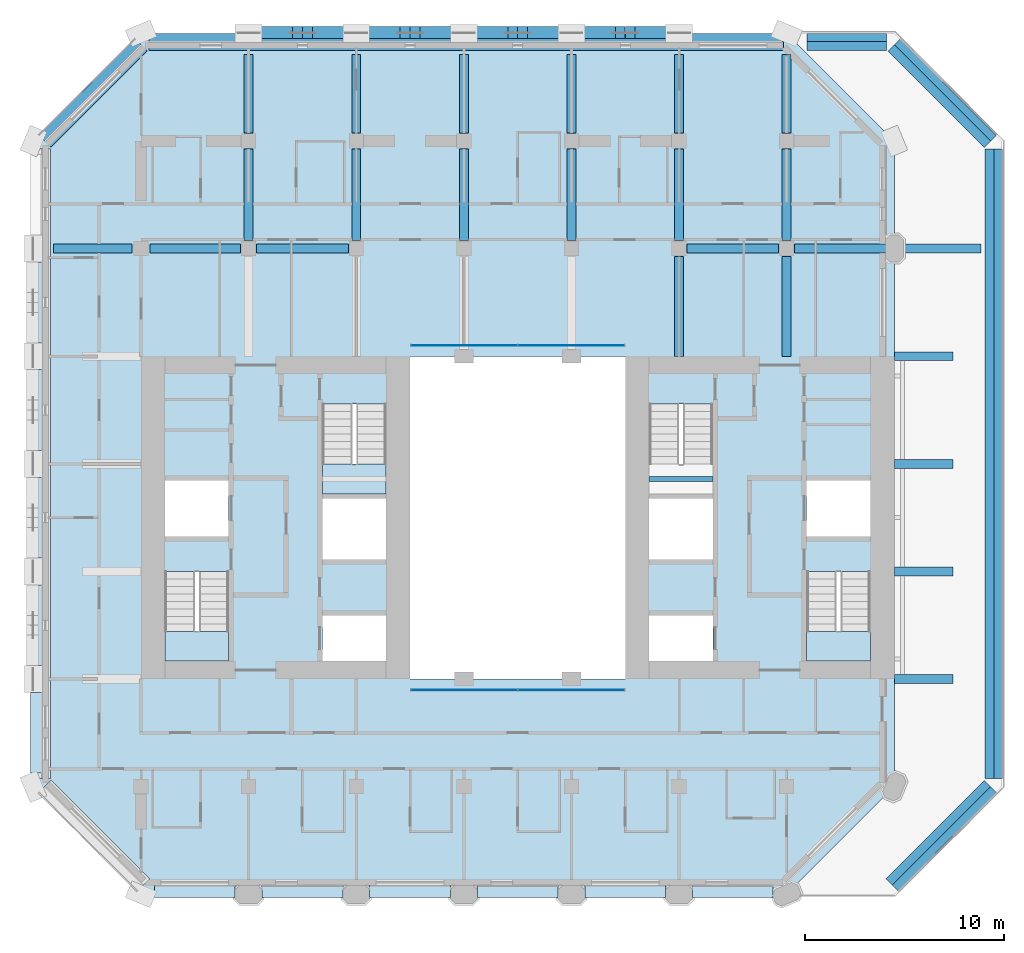
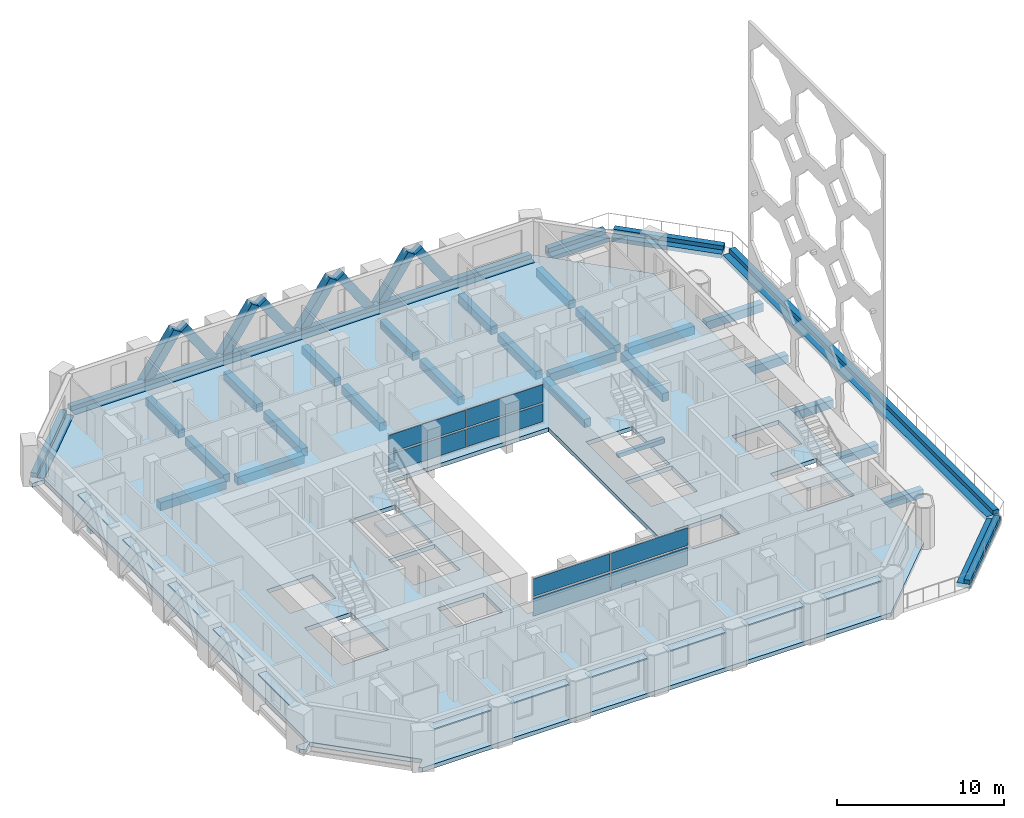
# One storey, part 5 of 15: 37 beams, 19 plates, 8 members, 4 slabs, 5 elements without a shape of their own.
"""IFC4 building model written with IfcOpenShell, lengths in metres."""

from ifc_helpers import new_model, si_unit, direction, frame, origin, origin_2d, place, context, subcontext, project, spatial, polyline, rectangle, outline, extrude, material, layer, layer_set, material_profile, profile_set, type_object, element, aggregate, save


model = new_model("IFC4")

# Units and contexts
model_context = context("Model", 3, precision=1e-05, world=origin(), true_north=direction((0.0, 1.0)))
body_context = subcontext(model_context, "Body", "Model", "MODEL_VIEW")
ifc_project = project(units=[si_unit("LENGTHUNIT", "METRE"), si_unit("AREAUNIT", "SQUARE_METRE"), si_unit("VOLUMEUNIT", "CUBIC_METRE"), si_unit("PLANEANGLEUNIT", "RADIAN"), si_unit("MASSUNIT", "GRAM", prefix="KILO")], contexts=[model_context])

# Site, building, storey
site_placement = place(None, origin())
site = spatial("IfcSite", under=ifc_project, at=site_placement, CompositionType="ELEMENT")
building_placement = place(site_placement, origin())
building = spatial("IfcBuilding", under=site, at=building_placement, Name="Tabaq Tower and Sports Hall", CompositionType="ELEMENT")
storey_placement = place(building_placement, frame((0.0, 0.0, 207.10009765625)))
storey = spatial("IfcBuildingStorey", under=building, at=storey_placement, Name="L51", CompositionType="ELEMENT", Elevation=207.10009765625)

# Beams
ifc_material_1 = material(Name="Concrete C40/50", Category="concrete")
ifc_material_profile_1 = material_profile(ifc_material_1, rectangle(XDim=0.449951171875, YDim=0.60009765625, at=origin_2d()), Name="CB 450x600")
ifc_profile_set_1 = profile_set([ifc_material_profile_1], Name="Concrete C40/50")
beam_type_1 = type_object("IfcBeamType", Name="PT CANTILEVER BEAM CB 450x600 C40/50", PredefinedType="BEAM", material=ifc_profile_set_1)
beam_1_placement = place(storey_placement, frame((1.0, 37.800048828125, -0.60009765625), z_axis=(1.0, 0.0, 0.0), x_axis=(0.0, 1.0, 0.0)))
element("IfcBeam", 1, at=beam_1_placement, inside=storey, type_object=beam_type_1, Name="Cantilever Beam L51 W7 span 1", PredefinedType="BEAM", context=body_context, shape_type="SweptSolid", body=[
    extrude(rectangle(XDim=0.449951171875, YDim=0.60009765625, at=origin_2d()), origin(), (0.0, 0.0, 1.0), 3.949951171875),
])
beam_2_placement = place(storey_placement, frame((5.85009765625, 37.800048828125, -0.60009765625), z_axis=(1.0, 0.0, 0.0), x_axis=(0.0, 1.0, 0.0)))
element("IfcBeam", 2, at=beam_2_placement, inside=storey, type_object=beam_type_1, Name="Cantilever Beam L51 W7 span 2", PredefinedType="BEAM", context=body_context, shape_type="SweptSolid", body=[
    extrude(rectangle(XDim=0.449951171875, YDim=0.60009765625, at=origin_2d()), origin(), (0.0, 0.0, 1.0), 4.5498046875),
])
beam_3_placement = place(storey_placement, frame((11.199951171875, 37.800048828125, -0.60009765625), z_axis=(1.0, 0.0, 0.0), x_axis=(0.0, 1.0, 0.0)))
element("IfcBeam", 3, at=beam_3_placement, inside=storey, type_object=beam_type_1, Name="Cantilever Beam L51 W7 span 3", PredefinedType="BEAM", context=body_context, shape_type="SweptSolid", body=[
    extrude(rectangle(XDim=0.449951171875, YDim=0.60009765625, at=origin_2d()), origin(), (0.0, 0.0, 1.0), 4.60009765625),
])
for number, where, z_axis, x_axis, name in (
    (4, (46.14990234375, 16.199951171875, -0.60009765625), (-1.0, 0.0, 0.0), (0.0, -1.0, 0.0), "Cantilever Beam L51 E3 span 1"),
    (5, (46.14990234375, 21.60009765625, -0.60009765625), (-1.0, 0.0, 0.0), (0.0, -1.0, 0.0), "Cantilever Beam L51 E4 span 1"),
    (6, (46.14990234375, 27.0, -0.60009765625), (-1.0, 0.0, 0.0), (0.0, -1.0, 0.0), "Cantilever Beam L51 E5 span 1"),
    (7, (46.14990234375, 32.39990234375, -0.60009765625), (-1.0, 0.0, 0.0), (0.0, -1.0, 0.0), "Cantilever Beam L51 E6 span 1"),
):
    element("IfcBeam", number, at=place(storey_placement, frame(where, z_axis=z_axis, x_axis=x_axis)), inside=storey, type_object=beam_type_1, Name=name, PredefinedType="BEAM", context=body_context, shape_type="SweptSolid", body=[
        extrude(rectangle(XDim=0.449951171875, YDim=0.60009765625, at=origin_2d()), origin(), (0.0, 0.0, 1.0), 2.949951171875),
    ])
beam_4_placement = place(storey_placement, frame((47.550048828125, 37.800048828125, -0.60009765625), z_axis=(-1.0, 0.0, 0.0), x_axis=(0.0, -1.0, 0.0)))
element("IfcBeam", 8, at=beam_4_placement, inside=storey, type_object=beam_type_1, Name="Cantilever Beam L51 E7 span 1", PredefinedType="BEAM", context=body_context, shape_type="SweptSolid", body=[
    extrude(rectangle(XDim=0.449951171875, YDim=0.60009765625, at=origin_2d()), origin(), (0.0, 0.0, 1.0), 3.949951171875),
])
beam_5_placement = place(storey_placement, frame((42.800048828125, 37.800048828125, -0.60009765625), z_axis=(-1.0, 0.0, 0.0), x_axis=(0.0, -1.0, 0.0)))
element("IfcBeam", 9, at=beam_5_placement, inside=storey, type_object=beam_type_1, Name="Cantilever Beam L51 E7 span 2", PredefinedType="BEAM", context=body_context, shape_type="SweptSolid", body=[
    extrude(rectangle(XDim=0.449951171875, YDim=0.60009765625, at=origin_2d()), origin(), (0.0, 0.0, 1.0), 4.60009765625),
])
beam_6_placement = place(storey_placement, frame((37.39990234375, 37.800048828125, -0.60009765625), z_axis=(-1.0, 0.0, 0.0), x_axis=(0.0, -1.0, 0.0)))
element("IfcBeam", 10, at=beam_6_placement, inside=storey, type_object=beam_type_1, Name="Cantilever Beam L51 E7 span 3", PredefinedType="BEAM", context=body_context, shape_type="SweptSolid", body=[
    extrude(rectangle(XDim=0.449951171875, YDim=0.60009765625, at=origin_2d()), origin(), (0.0, 0.0, 1.0), 4.599853515625),
])
beam_7_placement = place(storey_placement, frame((10.800048828125, 47.550048828125, -0.60009765625), z_axis=(0.0, -1.0, 0.0), x_axis=(1.0, 0.0, 0.0)))
element("IfcBeam", 11, at=beam_7_placement, inside=storey, type_object=beam_type_1, Name="Cantilever Beam L51 N2 span 1", PredefinedType="BEAM", context=body_context, shape_type="SweptSolid", body=[
    extrude(rectangle(XDim=0.449951171875, YDim=0.60009765625, at=origin_2d()), origin(), (0.0, 0.0, 1.0), 3.949951171875),
])
beam_8_placement = place(storey_placement, frame((10.800048828125, 42.800048828125, -0.60009765625), z_axis=(0.0, -1.0, 0.0), x_axis=(1.0, 0.0, 0.0)))
element("IfcBeam", 12, at=beam_8_placement, inside=storey, type_object=beam_type_1, Name="Cantilever Beam L51 N2 span 2", PredefinedType="BEAM", context=body_context, shape_type="SweptSolid", body=[
    extrude(rectangle(XDim=0.449951171875, YDim=0.60009765625, at=origin_2d()), origin(), (0.0, 0.0, 1.0), 4.60009765625),
])
beam_9_placement = place(storey_placement, frame((16.199951171875, 47.550048828125, -0.60009765625), z_axis=(0.0, -1.0, 0.0), x_axis=(1.0, 0.0, 0.0)))
element("IfcBeam", 13, at=beam_9_placement, inside=storey, type_object=beam_type_1, Name="Cantilever Beam L51 N3 span 1", PredefinedType="BEAM", context=body_context, shape_type="SweptSolid", body=[
    extrude(rectangle(XDim=0.449951171875, YDim=0.60009765625, at=origin_2d()), origin(), (0.0, 0.0, 1.0), 3.949951171875),
])
beam_10_placement = place(storey_placement, frame((16.199951171875, 42.800048828125, -0.60009765625), z_axis=(0.0, -1.0, 0.0), x_axis=(1.0, 0.0, 0.0)))
element("IfcBeam", 14, at=beam_10_placement, inside=storey, type_object=beam_type_1, Name="Cantilever Beam L51 N3 span 2", PredefinedType="BEAM", context=body_context, shape_type="SweptSolid", body=[
    extrude(rectangle(XDim=0.449951171875, YDim=0.60009765625, at=origin_2d()), origin(), (0.0, 0.0, 1.0), 4.60009765625),
])
beam_11_placement = place(storey_placement, frame((21.60009765625, 47.550048828125, -0.60009765625), z_axis=(0.0, -1.0, 0.0), x_axis=(1.0, 0.0, 0.0)))
element("IfcBeam", 15, at=beam_11_placement, inside=storey, type_object=beam_type_1, Name="Cantilever Beam L51 N4 span 1", PredefinedType="BEAM", context=body_context, shape_type="SweptSolid", body=[
    extrude(rectangle(XDim=0.449951171875, YDim=0.60009765625, at=origin_2d()), origin(), (0.0, 0.0, 1.0), 3.949951171875),
])
beam_12_placement = place(storey_placement, frame((21.60009765625, 42.800048828125, -0.60009765625), z_axis=(0.0, -1.0, 0.0), x_axis=(1.0, 0.0, 0.0)))
element("IfcBeam", 16, at=beam_12_placement, inside=storey, type_object=beam_type_1, Name="Cantilever Beam L51 N4 span 2", PredefinedType="BEAM", context=body_context, shape_type="SweptSolid", body=[
    extrude(rectangle(XDim=0.449951171875, YDim=0.60009765625, at=origin_2d()), origin(), (0.0, 0.0, 1.0), 4.60009765625),
])
beam_13_placement = place(storey_placement, frame((27.0, 47.550048828125, -0.60009765625), z_axis=(0.0, -1.0, 0.0), x_axis=(1.0, 0.0, 0.0)))
element("IfcBeam", 17, at=beam_13_placement, inside=storey, type_object=beam_type_1, Name="Cantilever Beam L51 N5 span 1", PredefinedType="BEAM", context=body_context, shape_type="SweptSolid", body=[
    extrude(rectangle(XDim=0.449951171875, YDim=0.60009765625, at=origin_2d()), origin(), (0.0, 0.0, 1.0), 3.949951171875),
])
beam_14_placement = place(storey_placement, frame((27.0, 42.800048828125, -0.60009765625), z_axis=(0.0, -1.0, 0.0), x_axis=(1.0, 0.0, 0.0)))
element("IfcBeam", 18, at=beam_14_placement, inside=storey, type_object=beam_type_1, Name="Cantilever Beam L51 N5 span 2", PredefinedType="BEAM", context=body_context, shape_type="SweptSolid", body=[
    extrude(rectangle(XDim=0.449951171875, YDim=0.60009765625, at=origin_2d()), origin(), (0.0, 0.0, 1.0), 4.60009765625),
])
beam_15_placement = place(storey_placement, frame((32.39990234375, 47.550048828125, -0.60009765625), z_axis=(0.0, -1.0, 0.0), x_axis=(1.0, 0.0, 0.0)))
element("IfcBeam", 19, at=beam_15_placement, inside=storey, type_object=beam_type_1, Name="Cantilever Beam L51 N6 span 1", PredefinedType="BEAM", context=body_context, shape_type="SweptSolid", body=[
    extrude(rectangle(XDim=0.449951171875, YDim=0.60009765625, at=origin_2d()), origin(), (0.0, 0.0, 1.0), 3.949951171875),
])
beam_16_placement = place(storey_placement, frame((32.39990234375, 42.800048828125, -0.60009765625), z_axis=(0.0, -1.0, 0.0), x_axis=(1.0, 0.0, 0.0)))
element("IfcBeam", 20, at=beam_16_placement, inside=storey, type_object=beam_type_1, Name="Cantilever Beam L51 N6 span 2", PredefinedType="BEAM", context=body_context, shape_type="SweptSolid", body=[
    extrude(rectangle(XDim=0.449951171875, YDim=0.60009765625, at=origin_2d()), origin(), (0.0, 0.0, 1.0), 4.60009765625),
])
beam_17_placement = place(storey_placement, frame((32.39990234375, 37.39990234375, -0.60009765625), z_axis=(0.0, -1.0, 0.0), x_axis=(1.0, 0.0, 0.0)))
element("IfcBeam", 21, at=beam_17_placement, inside=storey, type_object=beam_type_1, Name="Cantilever Beam L51 N6 span 3", PredefinedType="BEAM", context=body_context, shape_type="SweptSolid", body=[
    extrude(rectangle(XDim=0.449951171875, YDim=0.60009765625, at=origin_2d()), origin(), (0.0, 0.0, 1.0), 5.0),
])
beam_18_placement = place(storey_placement, frame((37.800048828125, 47.550048828125, -0.60009765625), z_axis=(0.0, -1.0, 0.0), x_axis=(1.0, 0.0, 0.0)))
element("IfcBeam", 22, at=beam_18_placement, inside=storey, type_object=beam_type_1, Name="Cantilever Beam L51 N7 span 1", PredefinedType="BEAM", context=body_context, shape_type="SweptSolid", body=[
    extrude(rectangle(XDim=0.449951171875, YDim=0.60009765625, at=origin_2d()), origin(), (0.0, 0.0, 1.0), 3.949951171875),
])
beam_19_placement = place(storey_placement, frame((37.800048828125, 42.800048828125, -0.60009765625), z_axis=(0.0, -1.0, 0.0), x_axis=(1.0, 0.0, 0.0)))
element("IfcBeam", 23, at=beam_19_placement, inside=storey, type_object=beam_type_1, Name="Cantilever Beam L51 N7 span 2", PredefinedType="BEAM", context=body_context, shape_type="SweptSolid", body=[
    extrude(rectangle(XDim=0.449951171875, YDim=0.60009765625, at=origin_2d()), origin(), (0.0, 0.0, 1.0), 4.60009765625),
])
beam_20_placement = place(storey_placement, frame((37.800048828125, 37.39990234375, -0.60009765625), z_axis=(0.0, -1.0, 0.0), x_axis=(1.0, 0.0, 0.0)))
element("IfcBeam", 24, at=beam_20_placement, inside=storey, type_object=beam_type_1, Name="Cantilever Beam L51 N7 span 3", PredefinedType="BEAM", context=body_context, shape_type="SweptSolid", body=[
    extrude(rectangle(XDim=0.449951171875, YDim=0.60009765625, at=origin_2d()), origin(), (0.0, 0.0, 1.0), 5.0),
])
ifc_material_2 = material(Name="Concrete C40/50", Category="concrete")
ifc_material_profile_2 = material_profile(ifc_material_2, rectangle(XDim=0.85009765625, YDim=0.300048828125, at=origin_2d()), Name="EB 850x300")
ifc_profile_set_2 = profile_set([ifc_material_profile_2], Name="Concrete C40/50")
beam_type_2 = type_object("IfcBeamType", Name="PT EDGE BEAM EB 850x300 C40/50", PredefinedType="SPANDREL", material=ifc_profile_set_2)
beam_21_placement = place(storey_placement, frame((37.63818359375, 48.175048828125, -0.150146484375), z_axis=(-1.0, 0.0, 0.0), x_axis=(0.0, -1.0, 0.0)))
element("IfcBeam", 25, at=beam_21_placement, inside=storey, type_object=beam_type_2, Name="Edge Beam L51 1", PredefinedType="SPANDREL", context=body_context, shape_type="SweptSolid", body=[
    extrude(rectangle(XDim=0.85009765625, YDim=0.300048828125, at=origin_2d()), origin(), (0.0, 0.0, 1.0), 31.836181640625),
])
beam_22_placement = place(storey_placement, frame((5.416259765625, 48.01513671875, -0.150146484375), z_axis=(-0.707124646667, -0.707088915255, 0.0), x_axis=(0.707088915255, -0.707124646667, 0.0)))
element("IfcBeam", 26, at=beam_22_placement, inside=storey, type_object=beam_type_2, Name="Edge Beam L51 2", PredefinedType="SPANDREL", context=body_context, shape_type="SweptSolid", body=[
    extrude(rectangle(XDim=0.85009765625, YDim=0.300048828125, at=origin_2d()), origin(), (0.0, 0.0, 1.0), 6.832763671875),
])
beam_23_placement = place(storey_placement, frame((43.076171875, 5.877197265625, -0.150146484375), z_axis=(0.707106781187, 0.707106781187, 0.0), x_axis=(-0.707106781187, 0.707106781187, 0.0)))
element("IfcBeam", 27, at=beam_23_placement, inside=storey, type_object=beam_type_2, Name="Edge Beam L51 5", PredefinedType="SPANDREL", context=body_context, shape_type="SweptSolid", body=[
    extrude(rectangle(XDim=0.85009765625, YDim=0.300048828125, at=origin_2d()), origin(), (0.0, 0.0, 1.0), 6.98486328125),
])
beam_24_placement = place(storey_placement, frame((48.175048828125, 11.2021484375, -0.150146484375), z_axis=(0.0, 1.0, 0.0), x_axis=(-1.0, 0.0, 0.0)))
element("IfcBeam", 28, at=beam_24_placement, inside=storey, type_object=beam_type_2, Name="Edge Beam L51 6", PredefinedType="SPANDREL", context=body_context, shape_type="SweptSolid", body=[
    extrude(rectangle(XDim=0.85009765625, YDim=0.300048828125, at=origin_2d()), origin(), (0.0, 0.0, 1.0), 31.595703125),
])
beam_25_placement = place(storey_placement, frame((48.01513671875, 43.183837890625, -0.150146484375), z_axis=(-0.707106781187, 0.707106781187, 0.0), x_axis=(-0.707106781187, -0.707106781187, 0.0)))
element("IfcBeam", 29, at=beam_25_placement, inside=storey, type_object=beam_type_2, Name="Edge Beam L51 7", PredefinedType="SPANDREL", context=body_context, shape_type="SweptSolid", body=[
    extrude(rectangle(XDim=0.85009765625, YDim=0.300048828125, at=origin_2d()), origin(), (0.0, 0.0, 1.0), 6.83251953125),
])
beam_26_placement = place(storey_placement, frame((42.7978515625, 48.175048828125, -0.150146484375), z_axis=(-1.0, 0.0, 0.0), x_axis=(0.0, -1.0, 0.0)))
element("IfcBeam", 30, at=beam_26_placement, inside=storey, type_object=beam_type_2, Name="Edge Beam L51 8", PredefinedType="SPANDREL", context=body_context, shape_type="SweptSolid", body=[
    extrude(rectangle(XDim=0.85009765625, YDim=0.300048828125, at=origin_2d()), origin(), (0.0, 0.0, 1.0), 3.98583984375),
])
ifc_material_3 = material(Name="Concrete C40/50", Category="concrete")
ifc_material_profile_3 = material_profile(ifc_material_3, rectangle(XDim=0.39990234375, YDim=0.300048828125, at=origin_2d()), Name="EU 400x300")
ifc_profile_set_3 = profile_set([ifc_material_profile_3], Name="Concrete C40/50")
beam_type_3 = type_object("IfcBeamType", Name="PT EDGE UPSTAND EU 400x300 C40/50", PredefinedType="BEAM", material=ifc_profile_set_3)
beam_27_placement = place(storey_placement, frame((37.63818359375, 48.39990234375, 0.14990234375), z_axis=(-1.0, 0.0, 0.0), x_axis=(0.0, -1.0, 0.0)))
element("IfcBeam", 31, at=beam_27_placement, inside=storey, type_object=beam_type_3, Name="Edge Upstand L51 1", PredefinedType="BEAM", context=body_context, shape_type="SweptSolid", body=[
    extrude(rectangle(XDim=0.39990234375, YDim=0.300048828125, at=origin_2d()), origin(), (0.0, 0.0, 1.0), 31.836181640625),
])
beam_28_placement = place(storey_placement, frame((5.257080078125, 48.17431640625, 0.14990234375), z_axis=(-0.707088915255, -0.707124646667, 0.0), x_axis=(0.707124646667, -0.707088915255, 0.0)))
element("IfcBeam", 32, at=beam_28_placement, inside=storey, type_object=beam_type_3, Name="Edge Upstand L51 2", PredefinedType="BEAM", context=body_context, shape_type="SweptSolid", body=[
    extrude(rectangle(XDim=0.39990234375, YDim=0.300048828125, at=origin_2d()), origin(), (0.0, 0.0, 1.0), 6.832763671875),
])
beam_29_placement = place(storey_placement, frame((43.2353515625, 5.71826171875, 0.14990234375), z_axis=(0.707106781187, 0.707106781187, 0.0), x_axis=(-0.707106781187, 0.707106781187, 0.0)))
element("IfcBeam", 33, at=beam_29_placement, inside=storey, type_object=beam_type_3, Name="Edge Upstand L51 5", PredefinedType="BEAM", context=body_context, shape_type="SweptSolid", body=[
    extrude(rectangle(XDim=0.39990234375, YDim=0.300048828125, at=origin_2d()), origin(), (0.0, 0.0, 1.0), 6.98486328125),
])
beam_30_placement = place(storey_placement, frame((48.39990234375, 11.2021484375, 0.14990234375), z_axis=(0.0, 1.0, 0.0), x_axis=(-1.0, 0.0, 0.0)))
element("IfcBeam", 34, at=beam_30_placement, inside=storey, type_object=beam_type_3, Name="Edge Upstand L51 6", PredefinedType="BEAM", context=body_context, shape_type="SweptSolid", body=[
    extrude(rectangle(XDim=0.39990234375, YDim=0.300048828125, at=origin_2d()), origin(), (0.0, 0.0, 1.0), 31.595703125),
])
beam_31_placement = place(storey_placement, frame((48.17431640625, 43.3427734375, 0.14990234375), z_axis=(-0.707106781187, 0.707106781187, 0.0), x_axis=(-0.707106781187, -0.707106781187, 0.0)))
element("IfcBeam", 35, at=beam_31_placement, inside=storey, type_object=beam_type_3, Name="Edge Upstand L51 7", PredefinedType="BEAM", context=body_context, shape_type="SweptSolid", body=[
    extrude(rectangle(XDim=0.39990234375, YDim=0.300048828125, at=origin_2d()), origin(), (0.0, 0.0, 1.0), 6.832763671875),
])
beam_32_placement = place(storey_placement, frame((42.7978515625, 48.39990234375, 0.14990234375), z_axis=(-1.0, 0.0, 0.0), x_axis=(0.0, -1.0, 0.0)))
element("IfcBeam", 36, at=beam_32_placement, inside=storey, type_object=beam_type_3, Name="Edge Upstand L51 8", PredefinedType="BEAM", context=body_context, shape_type="SweptSolid", body=[
    extrude(rectangle(XDim=0.39990234375, YDim=0.300048828125, at=origin_2d()), origin(), (0.0, 0.0, 1.0), 3.98583984375),
])

# Members
ifc_material_4 = material(Name="Concrete C50/60", Category="concrete")
ifc_material_profile_4 = material_profile(ifc_material_4, rectangle(XDim=0.60009765625, YDim=0.60009765625, at=origin_2d()), Name="TRANSFER BAND BRACE 600x600")
ifc_profile_set_4 = profile_set([ifc_material_profile_4], Name="Concrete C50/60")
member_type = type_object("IfcMemberType", Name="RC TRANSFER BAND BRACE 600x600 C50/60", PredefinedType="BRACE", material=ifc_profile_set_4)
for number, where, z_axis, x_axis, name in (
    (37, (11.050048828125, 48.64990234375, -0.050048828125), (0.56652615464, 0.0, 0.824043758613), (0.0, 1.0, 0.0), "Transfer Band Brace L51 North 1"),
    (38, (15.949951171875, 48.64990234375, -0.050048828125), (-0.56652615464, 0.0, 0.824043758613), (0.0, -1.0, 0.0), "Transfer Band Brace L51 North 2"),
    (39, (16.449951171875, 48.64990234375, -0.050048828125), (0.56652615464, 0.0, 0.824043758613), (0.0, 1.0, 0.0), "Transfer Band Brace L51 North 3"),
    (40, (21.35009765625, 48.64990234375, -0.050048828125), (-0.566568844459, 0.0, 0.824014407937), (0.0, -1.0, 0.0), "Transfer Band Brace L51 North 4"),
    (41, (21.85009765625, 48.64990234375, -0.050048828125), (0.56652615464, 0.0, 0.824043758613), (0.0, 1.0, 0.0), "Transfer Band Brace L51 North 5"),
    (42, (26.75, 48.64990234375, -0.050048828125), (-0.56652615464, 0.0, 0.824043758613), (0.0, -1.0, 0.0), "Transfer Band Brace L51 North 6"),
    (43, (27.25, 48.64990234375, -0.050048828125), (0.56652615464, 0.0, 0.824043758613), (0.0, 1.0, 0.0), "Transfer Band Brace L51 North 7"),
    (44, (32.14990234375, 48.64990234375, -0.050048828125), (-0.56652615464, 0.0, 0.824043758613), (0.0, -1.0, 0.0), "Transfer Band Brace L51 North 8"),
):
    element("IfcMember", number, at=place(storey_placement, frame(where, z_axis=z_axis, x_axis=x_axis)), inside=storey, type_object=member_type, Name=name, PredefinedType="BRACE", context=body_context, shape_type="SweptSolid", body=[
        extrude(rectangle(XDim=0.60009765625, YDim=0.60009765625, at=origin_2d()), origin(), (0.0, 0.0, 1.0), 3.88330078125),
    ])

# Beam
ifc_material_5 = material(Name="Concrete C40/50", Category="concrete")
ifc_material_profile_5 = material_profile(ifc_material_5, rectangle(XDim=0.25, YDim=0.300048828125, at=origin_2d()), Name="RC 250x300")
ifc_profile_set_5 = profile_set([ifc_material_profile_5], Name="Concrete C40/50")
beam_type_4 = type_object("IfcBeamType", Name="Stair landing beam 250x300", PredefinedType="BEAM", material=ifc_profile_set_5)
beam_33_placement = place(storey_placement, frame((30.89990234375, 26.25, 1.2998046875), z_axis=(1.0, 0.0, 0.0), x_axis=(0.0, 1.0, 0.0)))
element("IfcBeam", 45, at=beam_33_placement, inside=storey, type_object=beam_type_4, Name="L51 ST4 landing beam 1", PredefinedType="BEAM", context=body_context, shape_type="SweptSolid", body=[
    extrude(rectangle(XDim=0.25, YDim=0.300048828125, at=origin_2d()), origin(), (0.0, 0.0, 1.0), 3.2001953125),
])

# Curtain wall, plates
ifc_material_6 = material(Name="Aluminium alloy 6063-T6 framed glazing", Category="aluminium")
curtain_wall_type = type_object("IfcCurtainWallType", Name="CW1 curtain wall", PredefinedType="USERDEFINED", material=ifc_material_6)
curtain_wall_1_placement = place(storey_placement, origin())
curtain_wall_1 = element("IfcCurtainWall", 46, at=curtain_wall_1_placement, inside=storey, type_object=curtain_wall_type, Name="Atrium glazing L51 S", ObjectType="ATRIUM ENCLOSURE", PredefinedType="USERDEFINED")
ifc_material_7 = material(Name="Clear low-emissivity glass 28 mm", Category="glass")
ifc_layer_1 = layer(ifc_material_7, 0.028076171875)
ifc_layer_set_1 = layer_set([ifc_layer_1], Name="CW1 glass panel 28")
plate_type_1 = type_object("IfcPlateType", Name="CW1 glass panel 28", PredefinedType="CURTAIN_PANEL", material=ifc_layer_set_1)
plate_1_placement = place(storey_placement, frame((21.614990234375, 15.64990234375, 0.139892578125), z_axis=(0.0, 0.0, 1.0), x_axis=(1.0, 0.0, 0.0)))
plate_1 = element("IfcPlate", 47, at=plate_1_placement, type_object=plate_type_1, Name="CW1 panel 1.1", PredefinedType="CURTAIN_PANEL", context=body_context, shape_type="SweptSolid", body=[
    extrude(rectangle(XDim=5.31005859375, YDim=0.028076171875, at=origin_2d()), origin(), (0.0, 0.0, 1.0), 1.2900390625),
])
plate_2_placement = place(storey_placement, frame((21.614990234375, 15.64990234375, 1.56982421875), z_axis=(0.0, 0.0, 1.0), x_axis=(1.0, 0.0, 0.0)))
plate_2 = element("IfcPlate", 48, at=plate_2_placement, type_object=plate_type_1, Name="CW1 panel 1.2", PredefinedType="CURTAIN_PANEL", context=body_context, shape_type="SweptSolid", body=[
    extrude(rectangle(XDim=5.31005859375, YDim=0.028076171875, at=origin_2d()), origin(), (0.0, 0.0, 1.0), 1.2900390625),
])
plate_3_placement = place(storey_placement, frame((26.985107421875, 15.64990234375, 0.139892578125), z_axis=(0.0, 0.0, 1.0), x_axis=(1.0, 0.0, 0.0)))
plate_3 = element("IfcPlate", 49, at=plate_3_placement, type_object=plate_type_1, Name="CW1 panel 2.1", PredefinedType="CURTAIN_PANEL", context=body_context, shape_type="SweptSolid", body=[
    extrude(rectangle(XDim=5.31005859375, YDim=0.028076171875, at=origin_2d()), origin(), (0.0, 0.0, 1.0), 1.2900390625),
])
plate_4_placement = place(storey_placement, frame((26.985107421875, 15.64990234375, 1.56982421875), z_axis=(0.0, 0.0, 1.0), x_axis=(1.0, 0.0, 0.0)))
plate_4 = element("IfcPlate", 50, at=plate_4_placement, type_object=plate_type_1, Name="CW1 panel 2.2", PredefinedType="CURTAIN_PANEL", context=body_context, shape_type="SweptSolid", body=[
    extrude(rectangle(XDim=5.31005859375, YDim=0.028076171875, at=origin_2d()), origin(), (0.0, 0.0, 1.0), 1.2900390625),
])
aggregate(curtain_wall_1, [plate_1, plate_2, plate_3, plate_4])

curtain_wall_2_placement = place(storey_placement, origin())
curtain_wall_2 = element("IfcCurtainWall", 51, at=curtain_wall_2_placement, inside=storey, type_object=curtain_wall_type, Name="Atrium glazing L51 N", ObjectType="ATRIUM ENCLOSURE", PredefinedType="USERDEFINED")
plate_5_placement = place(storey_placement, frame((21.614990234375, 32.949951171875, 0.139892578125), z_axis=(0.0, 0.0, 1.0), x_axis=(1.0, 0.0, 0.0)))
plate_5 = element("IfcPlate", 52, at=plate_5_placement, type_object=plate_type_1, Name="CW1 panel 1.1", PredefinedType="CURTAIN_PANEL", context=body_context, shape_type="SweptSolid", body=[
    extrude(rectangle(XDim=5.31005859375, YDim=0.028076171875, at=origin_2d()), origin(), (0.0, 0.0, 1.0), 1.2900390625),
])
plate_6_placement = place(storey_placement, frame((21.614990234375, 32.949951171875, 1.56982421875), z_axis=(0.0, 0.0, 1.0), x_axis=(1.0, 0.0, 0.0)))
plate_6 = element("IfcPlate", 53, at=plate_6_placement, type_object=plate_type_1, Name="CW1 panel 1.2", PredefinedType="CURTAIN_PANEL", context=body_context, shape_type="SweptSolid", body=[
    extrude(rectangle(XDim=5.31005859375, YDim=0.028076171875, at=origin_2d()), origin(), (0.0, 0.0, 1.0), 1.2900390625),
])
plate_7_placement = place(storey_placement, frame((26.985107421875, 32.949951171875, 0.139892578125), z_axis=(0.0, 0.0, 1.0), x_axis=(1.0, 0.0, 0.0)))
plate_7 = element("IfcPlate", 54, at=plate_7_placement, type_object=plate_type_1, Name="CW1 panel 2.1", PredefinedType="CURTAIN_PANEL", context=body_context, shape_type="SweptSolid", body=[
    extrude(rectangle(XDim=5.31005859375, YDim=0.028076171875, at=origin_2d()), origin(), (0.0, 0.0, 1.0), 1.2900390625),
])
plate_8_placement = place(storey_placement, frame((26.985107421875, 32.949951171875, 1.56982421875), z_axis=(0.0, 0.0, 1.0), x_axis=(1.0, 0.0, 0.0)))
plate_8 = element("IfcPlate", 55, at=plate_8_placement, type_object=plate_type_1, Name="CW1 panel 2.2", PredefinedType="CURTAIN_PANEL", context=body_context, shape_type="SweptSolid", body=[
    extrude(rectangle(XDim=5.31005859375, YDim=0.028076171875, at=origin_2d()), origin(), (0.0, 0.0, 1.0), 1.2900390625),
])
aggregate(curtain_wall_2, [plate_5, plate_6, plate_7, plate_8])

# Stair, slab
ifc_material_8 = material(Name="Concrete C40/50", Category="concrete")
stair_type = type_object("IfcStairType", Name="Exit stair", PredefinedType="HALF_TURN_STAIR", material=ifc_material_8)
stair_1_placement = place(storey_placement, origin())
stair_1 = element("IfcStair", 56, at=stair_1_placement, inside=storey, type_object=stair_type, Name="L51 Exit stair ST1", PredefinedType="HALF_TURN_STAIR")
ifc_material_9 = material(Name="Concrete C40/50", Category="concrete")
ifc_layer_2 = layer(ifc_material_9, 0.199951171875)
ifc_layer_set_2 = layer_set([ifc_layer_2], Name="Exit stair landing")
slab_type_1 = type_object("IfcSlabType", Name="Exit stair landing", PredefinedType="LANDING", material=ifc_layer_set_2)
slab_1_placement = place(storey_placement, frame((0.0, 0.0, 1.449951171875)))
slab_1 = element("IfcSlab", 57, at=slab_1_placement, type_object=slab_type_1, Name="ST1 landing 1", PredefinedType="LANDING", context=body_context, shape_type="SweptSolid", body=[
    extrude(outline(polyline([(6.60009765625, 18.60009765625), (6.60009765625, 17.10009765625), (9.800048828125, 17.10009765625), (9.800048828125, 18.60009765625), (6.60009765625, 18.60009765625)])), origin(), (0.0, 0.0, 1.0), 0.199951171875),
])
aggregate(stair_1, [slab_1])

stair_2_placement = place(storey_placement, origin())
stair_2 = element("IfcStair", 58, at=stair_2_placement, inside=storey, type_object=stair_type, Name="L51 Exit stair ST2", PredefinedType="HALF_TURN_STAIR")
slab_2_placement = place(storey_placement, frame((0.0, 0.0, 1.449951171875)))
slab_2 = element("IfcSlab", 59, at=slab_2_placement, type_object=slab_type_1, Name="ST2 landing 1", PredefinedType="LANDING", context=body_context, shape_type="SweptSolid", body=[
    extrude(outline(polyline([(14.5, 27.0), (14.5, 25.5), (17.699951171875, 25.5), (17.699951171875, 27.0), (14.5, 27.0)])), origin(), (0.0, 0.0, 1.0), 0.199951171875),
])
aggregate(stair_2, [slab_2])

stair_3_placement = place(storey_placement, origin())
stair_3 = element("IfcStair", 60, at=stair_3_placement, inside=storey, type_object=stair_type, Name="L51 Exit stair ST3", PredefinedType="HALF_TURN_STAIR")
slab_3_placement = place(storey_placement, frame((0.0, 0.0, 1.449951171875)))
slab_3 = element("IfcSlab", 61, at=slab_3_placement, type_object=slab_type_1, Name="ST3 landing 1", PredefinedType="LANDING", context=body_context, shape_type="SweptSolid", body=[
    extrude(outline(polyline([(38.800048828125, 18.60009765625), (38.800048828125, 17.10009765625), (42.0, 17.10009765625), (42.0, 18.60009765625), (38.800048828125, 18.60009765625)])), origin(), (0.0, 0.0, 1.0), 0.199951171875),
])
aggregate(stair_3, [slab_3])

# Slab
ifc_material_10 = material(Name="Concrete C40/50", Category="concrete")
ifc_layer_3 = layer(ifc_material_10, 0.300048828125)
ifc_layer_set_3 = layer_set([ifc_layer_3], Name="PT FLOOR SLAB 300 C40/50")
slab_type_2 = type_object("IfcSlabType", Name="PT FLOOR SLAB 300 C40/50", PredefinedType="FLOOR", material=ifc_layer_set_3)
slab_4_placement = place(storey_placement, frame((0.0, 0.0, -0.300048828125)))
element("IfcSlab", 62, at=slab_4_placement, inside=storey, type_object=slab_type_2, Name="Floor Slab L51", PredefinedType="FLOOR", context=body_context, shape_type="SweptSolid", body=[
    extrude(outline(polyline([(0.0, 11.2021484375), (0.0, 10.800048828125), (0.284423828125, 10.515625), (0.814697265625, 11.0458984375), (0.88525390625, 11.11669921875), (5.82421875, 6.177734375), (5.753662109375, 6.107177734375), (5.22314453125, 5.57666015625), (5.39990234375, 5.39990234375), (37.800048828125, 5.39990234375), (43.199951171875, 10.800048828125), (43.199951171875, 43.199951171875), (37.800048828125, 48.60009765625), (37.63818359375, 48.60009765625), (37.63818359375, 47.85009765625), (37.63818359375, 47.75), (5.802001953125, 47.75), (5.802001953125, 47.85009765625), (5.802001953125, 48.60009765625), (5.39990234375, 48.60009765625), (5.11572265625, 48.315673828125), (5.64599609375, 47.785400390625), (5.716796875, 47.714599609375), (0.88525390625, 42.88330078125), (0.284423828125, 43.484375), (0.0, 43.199951171875), (0.0, 42.7978515625), (0.75, 42.7978515625), (0.85009765625, 42.7978515625), (0.85009765625, 11.2021484375), (0.75, 11.2021484375), (0.0, 11.2021484375)]), holes=[polyline([(14.5, 19.39990234375), (17.699951171875, 19.39990234375), (17.699951171875, 17.10009765625), (14.5, 17.10009765625), (14.5, 19.39990234375)]), polyline([(6.60009765625, 21.599365234375), (9.800048828125, 21.599365234375), (9.800048828125, 17.10009765625), (6.60009765625, 17.10009765625), (6.60009765625, 21.599365234375)]), polyline([(14.5, 25.25), (17.699951171875, 25.25), (17.699951171875, 22.199951171875), (14.5, 22.199951171875), (14.5, 25.25)]), polyline([(18.89990234375, 32.39990234375), (29.699951171875, 32.39990234375), (29.699951171875, 16.199951171875), (18.89990234375, 16.199951171875), (18.89990234375, 32.39990234375)]), polyline([(9.800048828125, 26.175048828125), (9.800048828125, 23.35009765625), (6.60009765625, 23.35009765625), (6.60009765625, 26.175048828125), (9.800048828125, 26.175048828125)]), polyline([(14.5, 29.99951171875), (17.699951171875, 29.99951171875), (17.699951171875, 25.5), (14.5, 25.5), (14.5, 29.99951171875)]), polyline([(34.10009765625, 19.39990234375), (34.10009765625, 17.10009765625), (30.89990234375, 17.10009765625), (30.89990234375, 19.39990234375), (34.10009765625, 19.39990234375)]), polyline([(42.0, 21.599365234375), (42.0, 17.10009765625), (38.800048828125, 17.10009765625), (38.800048828125, 21.599365234375), (42.0, 21.599365234375)]), polyline([(30.89990234375, 25.25), (34.10009765625, 25.25), (34.10009765625, 22.199951171875), (30.89990234375, 22.199951171875), (30.89990234375, 25.25)]), polyline([(42.0, 26.175048828125), (42.0, 23.35009765625), (38.800048828125, 23.35009765625), (38.800048828125, 26.175048828125), (42.0, 26.175048828125)]), polyline([(34.10009765625, 29.99951171875), (34.10009765625, 25.5), (30.89990234375, 25.5), (30.89990234375, 29.99951171875), (34.10009765625, 29.99951171875)])]), origin(), (0.0, 0.0, 1.0), 0.300048828125),
])

# Plates
ifc_material_11 = material(Name="White precast concrete C60/75 blade", Category="concrete")
ifc_layer_4 = layer(ifc_material_11, 0.10009765625)
ifc_layer_set_4 = layer_set([ifc_layer_4], Name="White precast concrete C60/75 sunshade 100")
plate_type_2 = type_object("IfcPlateType", Name="White precast concrete C60/75 sunshade 100", PredefinedType="USERDEFINED", material=ifc_layer_set_4)
for number, where, z_axis, x_axis, name in (
    (63, (8.10009765625, 5.550048828125, 2.599853515625), (0.0, 0.0, 1.0), (1.0, 0.0, 0.0), "Sunshade L51 S"),
    (64, (13.5, 5.550048828125, 2.599853515625), (0.0, 0.0, 1.0), (1.0, 0.0, 0.0), "Sunshade L51 S"),
    (65, (18.89990234375, 5.550048828125, 2.599853515625), (0.0, 0.0, 1.0), (1.0, 0.0, 0.0), "Sunshade L51 S"),
    (66, (24.300048828125, 5.550048828125, 2.599853515625), (0.0, 0.0, 1.0), (1.0, 0.0, 0.0), "Sunshade L51 S"),
    (67, (29.699951171875, 5.550048828125, 2.599853515625), (0.0, 0.0, 1.0), (1.0, 0.0, 0.0), "Sunshade L51 S"),
    (68, (35.10009765625, 5.550048828125, 2.599853515625), (0.0, 0.0, 1.0), (1.0, 0.0, 0.0), "Sunshade L51 S"),
    (69, (0.14990234375, 35.10009765625, 2.599853515625), (0.0, 0.0, 1.0), (0.0, -1.0, 0.0), "Sunshade L51 W"),
    (70, (0.14990234375, 29.699951171875, 2.599853515625), (0.0, 0.0, 1.0), (0.0, -1.0, 0.0), "Sunshade L51 W"),
    (71, (0.14990234375, 24.300048828125, 2.599853515625), (0.0, 0.0, 1.0), (0.0, -1.0, 0.0), "Sunshade L51 W"),
    (72, (0.14990234375, 18.89990234375, 2.599853515625), (0.0, 0.0, 1.0), (0.0, -1.0, 0.0), "Sunshade L51 W"),
    (73, (0.14990234375, 13.5, 2.599853515625), (0.0, 0.0, 1.0), (0.0, -1.0, 0.0), "Sunshade L51 W"),
):
    element("IfcPlate", number, at=place(storey_placement, frame(where, z_axis=z_axis, x_axis=x_axis)), inside=storey, type_object=plate_type_2, Name=name, ObjectType="SUNSHADE", PredefinedType="USERDEFINED", context=body_context, shape_type="SweptSolid", body=[
        extrude(rectangle(XDim=4.050048828125, YDim=0.60009765625, at=origin_2d()), origin(), (0.0, 0.0, 1.0), 0.10009765625),
    ])

save(model, "model.ifc")
